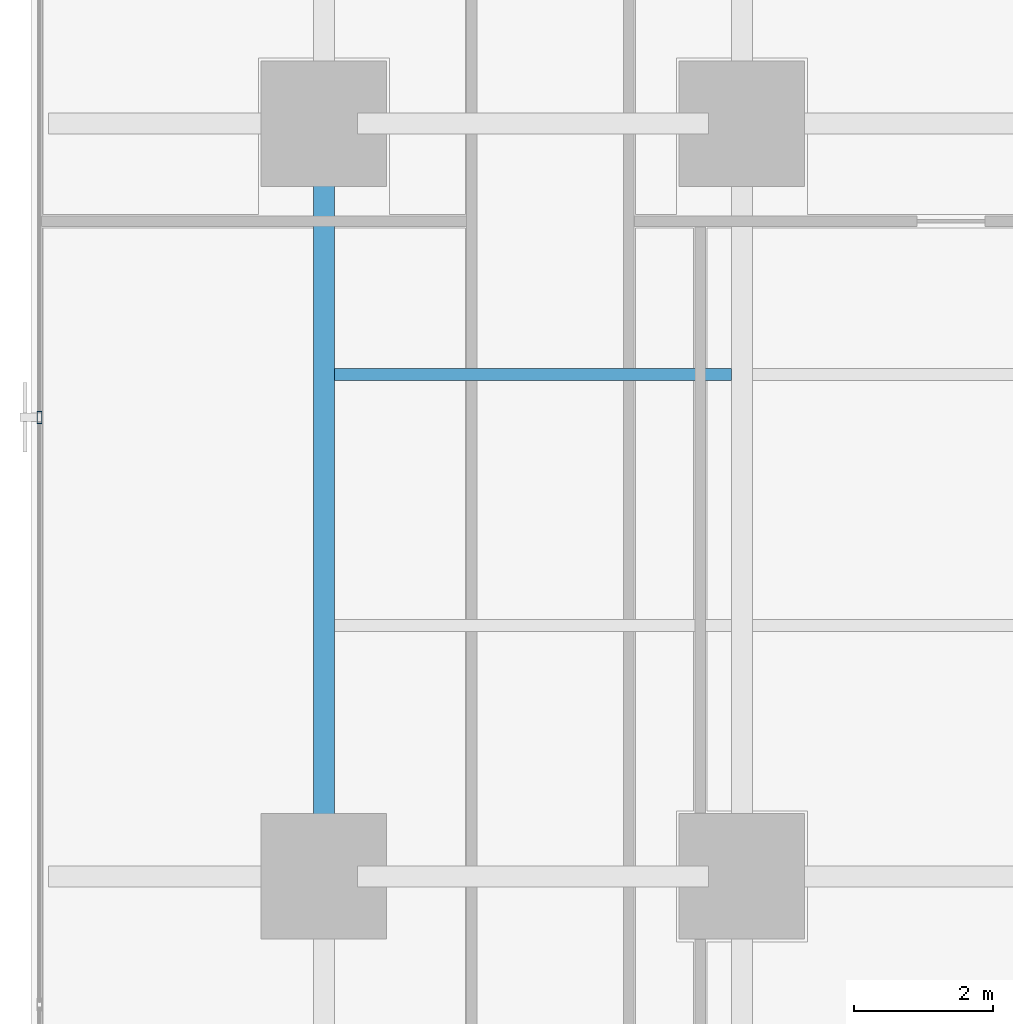
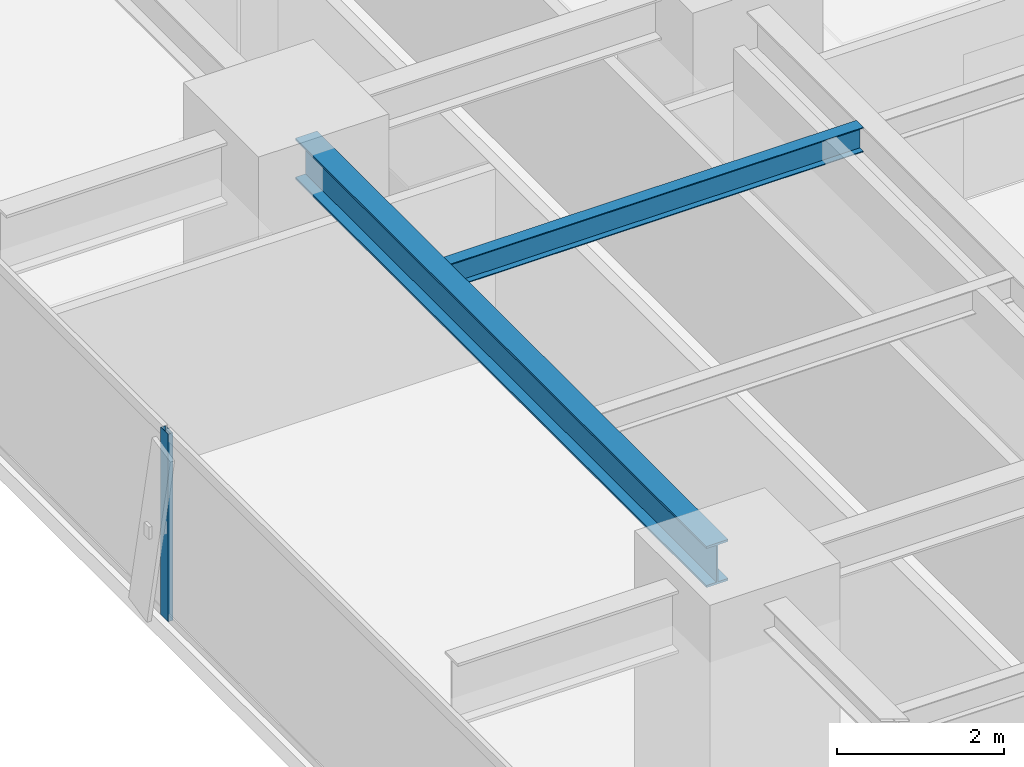
# One storey, part 7 of 32: 2 beams, 1 member, 1 element without a shape of its own.
"""IFC4 building model written with IfcOpenShell, lengths in metres."""

from ifc_helpers import new_model, si_unit, direction, frame, origin, origin_2d, place, context, subcontext, project, spatial, hollow_rectangle, i_section, extrude, source, transform, mapped, material, layer, layer_set, material_profile, profile_set, type_object, element, aggregate, save


model = new_model("IFC4")

# Units and contexts
model_context = context("Model", 3, precision=1e-05, world=origin(), true_north=direction((0.0, 1.0)))
body_context = subcontext(model_context, "Body", "Model", "MODEL_VIEW")
ifc_project = project(units=[si_unit("LENGTHUNIT", "METRE"), si_unit("AREAUNIT", "SQUARE_METRE"), si_unit("VOLUMEUNIT", "CUBIC_METRE"), si_unit("PLANEANGLEUNIT", "RADIAN"), si_unit("MASSUNIT", "GRAM", prefix="KILO")], contexts=[model_context])

# Site, building, storey
site_placement = place(None, origin())
site = spatial("IfcSite", under=ifc_project, at=site_placement, CompositionType="ELEMENT")
building_placement = place(site_placement, origin())
building = spatial("IfcBuilding", under=site, at=building_placement, Name="Sumidabori Civic Tower", CompositionType="ELEMENT")
storey_placement = place(building_placement, frame((0.0, 0.0, 52.39990234375)))
storey = spatial("IfcBuildingStorey", under=building, at=storey_placement, Name="L13", CompositionType="ELEMENT", Elevation=52.39990234375)

# Beams
ifc_material_1 = material(Name="Steel SN490", Category="steel")
ifc_material_profile_1 = material_profile(ifc_material_1, i_section(OverallWidth=0.300048828125, OverallDepth=0.60009765625, WebThickness=0.015380859375, FlangeThickness=0.030029296875, at=origin_2d()), Name="HE 600 B")
ifc_profile_set_1 = profile_set([ifc_material_profile_1], Name="Steel SN490")
beam_type_1 = type_object("IfcBeamType", Name="BM-GIRD-600", PredefinedType="BEAM", material=ifc_profile_set_1)
shared_shape_1 = source(origin(), body_context, "Body", "SweptSolid", [
    extrude(i_section(OverallWidth=0.300048828125, OverallDepth=0.60009765625, WebThickness=0.015380859375, FlangeThickness=0.030029296875, at=origin_2d()), origin(), (0.0, 0.0, 1.0), 9.840087890625),
])
beam_1_placement = place(storey_placement, frame((-22.800048828125, -10.320068359375, 3.06005859375), z_axis=(0.0, 1.0, 0.0), x_axis=(-1.0, 0.0, 0.0)))
element("IfcBeam", 1, at=beam_1_placement, inside=storey, type_object=beam_type_1, Name="Primary Girder L13 GY-22", PredefinedType="BEAM", context=body_context, shape_type="MappedRepresentation", body=[
    mapped(shared_shape_1, transform((0.0, 0.0, 0.0), x_axis=(1.0, 0.0, 0.0), y_axis=(0.0, 1.0, 0.0), z_axis=(0.0, 0.0, 1.0), scale=1.0)),
])
ifc_material_profile_2 = material_profile(ifc_material_1, i_section(OverallWidth=0.169921875, OverallDepth=0.360107421875, WebThickness=0.008056640625, FlangeThickness=0.0126953125, at=origin_2d()), Name="IPE 360")
ifc_profile_set_2 = profile_set([ifc_material_profile_2], Name="Steel SN490")
beam_type_2 = type_object("IfcBeamType", Name="BM-JST-360", PredefinedType="JOIST", material=ifc_profile_set_2)
shared_shape_2 = source(origin(), body_context, "Body", "SweptSolid", [
    extrude(i_section(OverallWidth=0.169921875, OverallDepth=0.360107421875, WebThickness=0.008056640625, FlangeThickness=0.0126953125, at=origin_2d()), origin(), (0.0, 0.0, 1.0), 5.699951171875),
])
beam_2_placement = place(storey_placement, frame((-22.64990234375, -3.60009765625, 3.18017578125), z_axis=(1.0, 0.0, 0.0), x_axis=(0.0, 1.0, 0.0)))
element("IfcBeam", 2, at=beam_2_placement, inside=storey, type_object=beam_type_2, Name="Outer Bay Floor Joist L13 JSTO-51", PredefinedType="JOIST", context=body_context, shape_type="MappedRepresentation", body=[
    mapped(shared_shape_2, transform((0.0, 0.0, 0.0), x_axis=(1.0, 0.0, 0.0), y_axis=(0.0, 1.0, 0.0), z_axis=(0.0, 0.0, 1.0), scale=1.0)),
])

# Curtain wall, member
ifc_material_2 = material(Name="Anodised Bronze Aluminium AW-6063-T6", Category="aluminium")
ifc_layer = layer(ifc_material_2, 0.179931640625, Name="Anodised Bronze Aluminium AW-6063-T6")
ifc_layer_set = layer_set([ifc_layer], Name="Anodised Bronze Aluminium AW-6063-T6")
curtain_wall_type = type_object("IfcCurtainWallType", Name="CW-SYS-2", PredefinedType="NOTDEFINED", material=ifc_layer_set)
curtain_wall_placement = place(storey_placement, origin())
curtain_wall = element("IfcCurtainWall", 3, at=curtain_wall_placement, inside=storey, type_object=curtain_wall_type, Name="Curtain Wall CW:L13:R10", PredefinedType="NOTDEFINED")
ifc_material_profile_3 = material_profile(ifc_material_2, hollow_rectangle(XDim=0.070068359375, YDim=0.179931640625, WallThickness=0.006103515625, at=origin_2d()), Name="ALU MULLION 180x70")
ifc_profile_set_3 = profile_set([ifc_material_profile_3], Name="Anodised Bronze Aluminium AW-6063-T6")
member_type = type_object("IfcMemberType", Name="CW-MUL-180", PredefinedType="MULLION", material=ifc_profile_set_3)
shared_shape_3 = source(origin(), body_context, "Body", "SweptSolid", [
    extrude(hollow_rectangle(XDim=0.070068359375, YDim=0.179931640625, WallThickness=0.006103515625, at=origin_2d()), origin(), (0.0, 0.0, 1.0), 2.739990234375),
])
member_placement = place(storey_placement, frame((-26.8798828125, -4.214111328125, 0.0), z_axis=(0.0, 0.0, 1.0), x_axis=(1.0, 0.0, 0.0)))
member = element("IfcMember", 4, at=member_placement, type_object=member_type, Name="CW-2 mullion 4", PredefinedType="MULLION", context=body_context, shape_type="MappedRepresentation", body=[
    mapped(shared_shape_3, transform((0.0, 0.0, 0.0), x_axis=(1.0, 0.0, 0.0), y_axis=(0.0, 1.0, 0.0), z_axis=(0.0, 0.0, 1.0), scale=1.0)),
])
aggregate(curtain_wall, [member])

save(model, "model.ifc")
